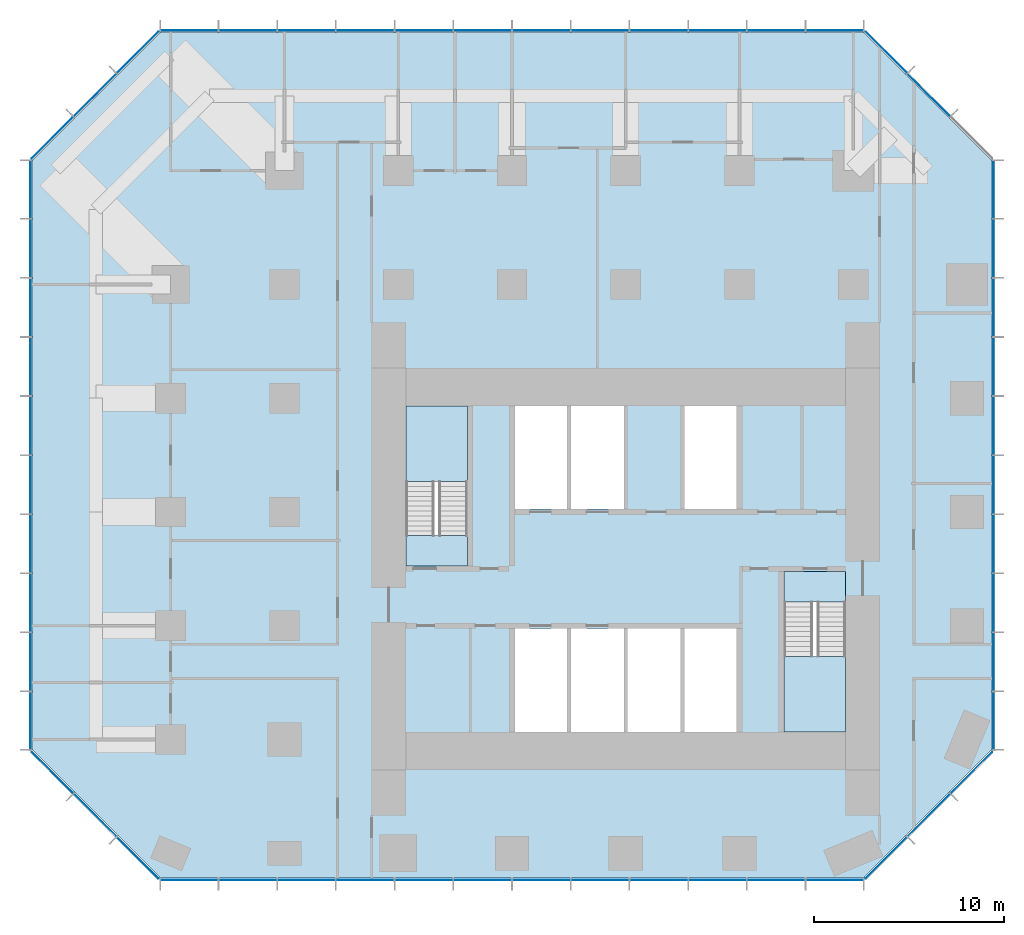
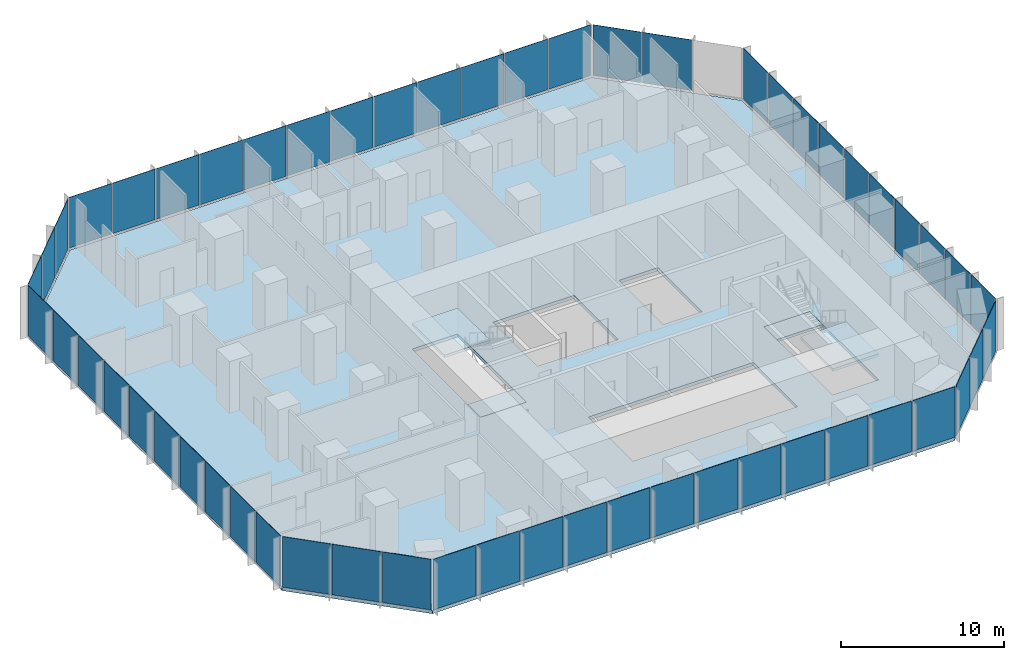
# One storey, part 7 of 12: 55 plates, 5 slabs, 10 elements without a shape of their own.
"""IFC4 building model written with IfcOpenShell, lengths in metres."""

from ifc_helpers import new_model, si_unit, direction, frame, origin, origin_2d, place, context, subcontext, project, spatial, polyline, rectangle, outline, extrude, material, layer, layer_set, type_object, element, aggregate, save


model = new_model("IFC4")

# Units and contexts
model_context = context("Model", 3, precision=1e-05, world=origin(), true_north=direction((0.0, 1.0)))
body_context = subcontext(model_context, "Body", "Model", "MODEL_VIEW")
ifc_project = project(units=[si_unit("LENGTHUNIT", "METRE"), si_unit("AREAUNIT", "SQUARE_METRE"), si_unit("VOLUMEUNIT", "CUBIC_METRE"), si_unit("PLANEANGLEUNIT", "RADIAN"), si_unit("MASSUNIT", "GRAM", prefix="KILO")], contexts=[model_context])

# Site, building, storey
site_placement = place(None, origin())
site = spatial("IfcSite", under=ifc_project, at=site_placement, CompositionType="ELEMENT")
building_placement = place(site_placement, origin())
building = spatial("IfcBuilding", under=site, at=building_placement, Name="Highveld Stack Headquarters", CompositionType="ELEMENT")
storey_placement = place(building_placement, frame((0.0, 0.0, 101.60009765625)))
storey = spatial("IfcBuildingStorey", under=building, at=storey_placement, Name="L24", CompositionType="ELEMENT", Elevation=101.60009765625)

# Curtain wall, plates
ifc_material_1 = material(Name="Aluminium bronze anodised", Category="aluminium")
ifc_layer_1 = layer(ifc_material_1, 0.199951171875)
ifc_layer_set_1 = layer_set([ifc_layer_1], Name="Aluminium bronze anodised")
curtain_wall_type_1 = type_object("IfcCurtainWallType", Name="CW1 TOWER UNITISED CURTAIN WALL", PredefinedType="NOTDEFINED", material=ifc_layer_set_1)
curtain_wall_1_placement = place(storey_placement, origin())
curtain_wall_1 = element("IfcCurtainWall", 1, at=curtain_wall_1_placement, inside=storey, type_object=curtain_wall_type_1, Name="Curtain wall CW1 L24 S", PredefinedType="NOTDEFINED")
ifc_material_2 = material(Name="Glass bronze tinted double glazed unit", Category="glass")
ifc_layer_2 = layer(ifc_material_2, 0.028076171875)
ifc_layer_set_2 = layer_set([ifc_layer_2], Name="Glass bronze tinted double glazed unit")
plate_type_1 = type_object("IfcPlateType", Name="CW1 PANEL BRONZE TINTED DOUBLE GLAZED UNIT", PredefinedType="CURTAIN_PANEL", material=ifc_layer_set_2)
plate_1_placement = place(storey_placement, frame((-17.015380859375, -13.39990234375, 0.10009765625), z_axis=(0.0, 0.0, 1.0), x_axis=(1.0, 0.0, 0.0)))
plate_1 = element("IfcPlate", 2, at=plate_1_placement, type_object=plate_type_1, Name="CW1 panel L24 1.1", PredefinedType="CURTAIN_PANEL", context=body_context, shape_type="SweptSolid", body=[
    extrude(rectangle(XDim=2.9990234375, YDim=0.028076171875, at=origin_2d()), origin(), (0.0, 0.0, 1.0), 3.800048828125),
])
plate_2_placement = place(storey_placement, frame((-13.934814453125, -13.39990234375, 0.10009765625), z_axis=(0.0, 0.0, 1.0), x_axis=(1.0, 0.0, 0.0)))
plate_2 = element("IfcPlate", 3, at=plate_2_placement, type_object=plate_type_1, Name="CW1 panel L24 2.1", PredefinedType="CURTAIN_PANEL", context=body_context, shape_type="SweptSolid", body=[
    extrude(rectangle(XDim=3.031494140625, YDim=0.028076171875, at=origin_2d()), origin(), (0.0, 0.0, 1.0), 3.800048828125),
])
plate_3_placement = place(storey_placement, frame((-10.83837890625, -13.39990234375, 0.10009765625), z_axis=(0.0, 0.0, 1.0), x_axis=(1.0, 0.0, 0.0)))
plate_3 = element("IfcPlate", 4, at=plate_3_placement, type_object=plate_type_1, Name="CW1 panel L24 3.1", PredefinedType="CURTAIN_PANEL", context=body_context, shape_type="SweptSolid", body=[
    extrude(rectangle(XDim=3.031494140625, YDim=0.028076171875, at=origin_2d()), origin(), (0.0, 0.0, 1.0), 3.800048828125),
])
plate_4_placement = place(storey_placement, frame((-7.74169921875, -13.39990234375, 0.10009765625), z_axis=(0.0, 0.0, 1.0), x_axis=(1.0, 0.0, 0.0)))
plate_4 = element("IfcPlate", 5, at=plate_4_placement, type_object=plate_type_1, Name="CW1 panel L24 4.1", PredefinedType="CURTAIN_PANEL", context=body_context, shape_type="SweptSolid", body=[
    extrude(rectangle(XDim=3.031494140625, YDim=0.028076171875, at=origin_2d()), origin(), (0.0, 0.0, 1.0), 3.800048828125),
])
plate_5_placement = place(storey_placement, frame((-4.64501953125, -13.39990234375, 0.10009765625), z_axis=(0.0, 0.0, 1.0), x_axis=(1.0, 0.0, 0.0)))
plate_5 = element("IfcPlate", 6, at=plate_5_placement, type_object=plate_type_1, Name="CW1 panel L24 5.1", PredefinedType="CURTAIN_PANEL", context=body_context, shape_type="SweptSolid", body=[
    extrude(rectangle(XDim=3.031494140625, YDim=0.028076171875, at=origin_2d()), origin(), (0.0, 0.0, 1.0), 3.800048828125),
])
plate_6_placement = place(storey_placement, frame((-1.54833984375, -13.39990234375, 0.10009765625), z_axis=(0.0, 0.0, 1.0), x_axis=(1.0, 0.0, 0.0)))
plate_6 = element("IfcPlate", 7, at=plate_6_placement, type_object=plate_type_1, Name="CW1 panel L24 6.1", PredefinedType="CURTAIN_PANEL", context=body_context, shape_type="SweptSolid", body=[
    extrude(rectangle(XDim=3.031494140625, YDim=0.028076171875, at=origin_2d()), origin(), (0.0, 0.0, 1.0), 3.800048828125),
])
plate_7_placement = place(storey_placement, frame((1.54833984375, -13.39990234375, 0.10009765625), z_axis=(0.0, 0.0, 1.0), x_axis=(1.0, 0.0, 0.0)))
plate_7 = element("IfcPlate", 8, at=plate_7_placement, type_object=plate_type_1, Name="CW1 panel L24 7.1", PredefinedType="CURTAIN_PANEL", context=body_context, shape_type="SweptSolid", body=[
    extrude(rectangle(XDim=3.03173828125, YDim=0.028076171875, at=origin_2d()), origin(), (0.0, 0.0, 1.0), 3.800048828125),
])
plate_8_placement = place(storey_placement, frame((4.64501953125, -13.39990234375, 0.10009765625), z_axis=(0.0, 0.0, 1.0), x_axis=(1.0, 0.0, 0.0)))
plate_8 = element("IfcPlate", 9, at=plate_8_placement, type_object=plate_type_1, Name="CW1 panel L24 8.1", PredefinedType="CURTAIN_PANEL", context=body_context, shape_type="SweptSolid", body=[
    extrude(rectangle(XDim=3.03173828125, YDim=0.028076171875, at=origin_2d()), origin(), (0.0, 0.0, 1.0), 3.800048828125),
])
plate_9_placement = place(storey_placement, frame((7.74169921875, -13.39990234375, 0.10009765625), z_axis=(0.0, 0.0, 1.0), x_axis=(1.0, 0.0, 0.0)))
plate_9 = element("IfcPlate", 10, at=plate_9_placement, type_object=plate_type_1, Name="CW1 panel L24 9.1", PredefinedType="CURTAIN_PANEL", context=body_context, shape_type="SweptSolid", body=[
    extrude(rectangle(XDim=3.03173828125, YDim=0.028076171875, at=origin_2d()), origin(), (0.0, 0.0, 1.0), 3.800048828125),
])
plate_10_placement = place(storey_placement, frame((10.83837890625, -13.39990234375, 0.10009765625), z_axis=(0.0, 0.0, 1.0), x_axis=(1.0, 0.0, 0.0)))
plate_10 = element("IfcPlate", 11, at=plate_10_placement, type_object=plate_type_1, Name="CW1 panel L24 10.1", PredefinedType="CURTAIN_PANEL", context=body_context, shape_type="SweptSolid", body=[
    extrude(rectangle(XDim=3.03173828125, YDim=0.028076171875, at=origin_2d()), origin(), (0.0, 0.0, 1.0), 3.800048828125),
])
plate_11_placement = place(storey_placement, frame((13.934814453125, -13.39990234375, 0.10009765625), z_axis=(0.0, 0.0, 1.0), x_axis=(1.0, 0.0, 0.0)))
plate_11 = element("IfcPlate", 12, at=plate_11_placement, type_object=plate_type_1, Name="CW1 panel L24 11.1", PredefinedType="CURTAIN_PANEL", context=body_context, shape_type="SweptSolid", body=[
    extrude(rectangle(XDim=3.03173828125, YDim=0.028076171875, at=origin_2d()), origin(), (0.0, 0.0, 1.0), 3.800048828125),
])
plate_12_placement = place(storey_placement, frame((17.015380859375, -13.39990234375, 0.10009765625), z_axis=(0.0, 0.0, 1.0), x_axis=(1.0, 0.0, 0.0)))
plate_12 = element("IfcPlate", 13, at=plate_12_placement, type_object=plate_type_1, Name="CW1 panel L24 12.1", PredefinedType="CURTAIN_PANEL", context=body_context, shape_type="SweptSolid", body=[
    extrude(rectangle(XDim=2.999267578125, YDim=0.028076171875, at=origin_2d()), origin(), (0.0, 0.0, 1.0), 3.800048828125),
])
aggregate(curtain_wall_1, [plate_1, plate_2, plate_3, plate_4, plate_5, plate_6, plate_7, plate_8, plate_9, plate_10, plate_11, plate_12])

curtain_wall_2_placement = place(storey_placement, origin())
curtain_wall_2 = element("IfcCurtainWall", 14, at=curtain_wall_2_placement, inside=storey, type_object=curtain_wall_type_1, Name="Curtain wall CW1 L24 E", PredefinedType="NOTDEFINED")
plate_13_placement = place(storey_placement, frame((25.39990234375, -5.005615234375, 0.10009765625), z_axis=(0.0, 0.0, 1.0), x_axis=(0.0, 1.0, 0.0)))
plate_13 = element("IfcPlate", 15, at=plate_13_placement, type_object=plate_type_1, Name="CW1 panel L24 1.1", PredefinedType="CURTAIN_PANEL", context=body_context, shape_type="SweptSolid", body=[
    extrude(rectangle(XDim=3.0185546875, YDim=0.028076171875, at=origin_2d()), origin(), (0.0, 0.0, 1.0), 3.800048828125),
])
plate_14_placement = place(storey_placement, frame((25.39990234375, -1.906005859375, 0.10009765625), z_axis=(0.0, 0.0, 1.0), x_axis=(0.0, 1.0, 0.0)))
plate_14 = element("IfcPlate", 16, at=plate_14_placement, type_object=plate_type_1, Name="CW1 panel L24 2.1", PredefinedType="CURTAIN_PANEL", context=body_context, shape_type="SweptSolid", body=[
    extrude(rectangle(XDim=3.051025390625, YDim=0.028076171875, at=origin_2d()), origin(), (0.0, 0.0, 1.0), 3.800048828125),
])
plate_15_placement = place(storey_placement, frame((25.39990234375, 1.2099609375, 0.10009765625), z_axis=(0.0, 0.0, 1.0), x_axis=(0.0, 1.0, 0.0)))
plate_15 = element("IfcPlate", 17, at=plate_15_placement, type_object=plate_type_1, Name="CW1 panel L24 3.1", PredefinedType="CURTAIN_PANEL", context=body_context, shape_type="SweptSolid", body=[
    extrude(rectangle(XDim=3.051025390625, YDim=0.028076171875, at=origin_2d()), origin(), (0.0, 0.0, 1.0), 3.800048828125),
])
plate_16_placement = place(storey_placement, frame((25.39990234375, 4.325927734375, 0.10009765625), z_axis=(0.0, 0.0, 1.0), x_axis=(0.0, 1.0, 0.0)))
plate_16 = element("IfcPlate", 18, at=plate_16_placement, type_object=plate_type_1, Name="CW1 panel L24 4.1", PredefinedType="CURTAIN_PANEL", context=body_context, shape_type="SweptSolid", body=[
    extrude(rectangle(XDim=3.051025390625, YDim=0.028076171875, at=origin_2d()), origin(), (0.0, 0.0, 1.0), 3.800048828125),
])
plate_17_placement = place(storey_placement, frame((25.39990234375, 7.44189453125, 0.10009765625), z_axis=(0.0, 0.0, 1.0), x_axis=(0.0, 1.0, 0.0)))
plate_17 = element("IfcPlate", 19, at=plate_17_placement, type_object=plate_type_1, Name="CW1 panel L24 5.1", PredefinedType="CURTAIN_PANEL", context=body_context, shape_type="SweptSolid", body=[
    extrude(rectangle(XDim=3.051025390625, YDim=0.028076171875, at=origin_2d()), origin(), (0.0, 0.0, 1.0), 3.800048828125),
])
plate_18_placement = place(storey_placement, frame((25.39990234375, 10.55810546875, 0.10009765625), z_axis=(0.0, 0.0, 1.0), x_axis=(0.0, 1.0, 0.0)))
plate_18 = element("IfcPlate", 20, at=plate_18_placement, type_object=plate_type_1, Name="CW1 panel L24 6.1", PredefinedType="CURTAIN_PANEL", context=body_context, shape_type="SweptSolid", body=[
    extrude(rectangle(XDim=3.051025390625, YDim=0.028076171875, at=origin_2d()), origin(), (0.0, 0.0, 1.0), 3.800048828125),
])
plate_19_placement = place(storey_placement, frame((25.39990234375, 13.674072265625, 0.10009765625), z_axis=(0.0, 0.0, 1.0), x_axis=(0.0, 1.0, 0.0)))
plate_19 = element("IfcPlate", 21, at=plate_19_placement, type_object=plate_type_1, Name="CW1 panel L24 7.1", PredefinedType="CURTAIN_PANEL", context=body_context, shape_type="SweptSolid", body=[
    extrude(rectangle(XDim=3.051025390625, YDim=0.028076171875, at=origin_2d()), origin(), (0.0, 0.0, 1.0), 3.800048828125),
])
plate_20_placement = place(storey_placement, frame((25.39990234375, 16.789794921875, 0.10009765625), z_axis=(0.0, 0.0, 1.0), x_axis=(0.0, 1.0, 0.0)))
plate_20 = element("IfcPlate", 22, at=plate_20_placement, type_object=plate_type_1, Name="CW1 panel L24 8.1", PredefinedType="CURTAIN_PANEL", context=body_context, shape_type="SweptSolid", body=[
    extrude(rectangle(XDim=3.051025390625, YDim=0.028076171875, at=origin_2d()), origin(), (0.0, 0.0, 1.0), 3.800048828125),
])
plate_21_placement = place(storey_placement, frame((25.39990234375, 19.906005859375, 0.10009765625), z_axis=(0.0, 0.0, 1.0), x_axis=(0.0, 1.0, 0.0)))
plate_21 = element("IfcPlate", 23, at=plate_21_placement, type_object=plate_type_1, Name="CW1 panel L24 9.1", PredefinedType="CURTAIN_PANEL", context=body_context, shape_type="SweptSolid", body=[
    extrude(rectangle(XDim=3.051025390625, YDim=0.028076171875, at=origin_2d()), origin(), (0.0, 0.0, 1.0), 3.800048828125),
])
plate_22_placement = place(storey_placement, frame((25.39990234375, 23.005615234375, 0.10009765625), z_axis=(0.0, 0.0, 1.0), x_axis=(0.0, 1.0, 0.0)))
plate_22 = element("IfcPlate", 24, at=plate_22_placement, type_object=plate_type_1, Name="CW1 panel L24 10.1", PredefinedType="CURTAIN_PANEL", context=body_context, shape_type="SweptSolid", body=[
    extrude(rectangle(XDim=3.0185546875, YDim=0.028076171875, at=origin_2d()), origin(), (0.0, 0.0, 1.0), 3.800048828125),
])
aggregate(curtain_wall_2, [plate_13, plate_14, plate_15, plate_16, plate_17, plate_18, plate_19, plate_20, plate_21, plate_22])

curtain_wall_3_placement = place(storey_placement, origin())
curtain_wall_3 = element("IfcCurtainWall", 25, at=curtain_wall_3_placement, inside=storey, type_object=curtain_wall_type_1, Name="Curtain wall CW1 L24 N", PredefinedType="NOTDEFINED")
plate_23_placement = place(storey_placement, frame((17.015380859375, 31.39990234375, 0.10009765625), z_axis=(0.0, 0.0, 1.0), x_axis=(-1.0, 0.0, 0.0)))
plate_23 = element("IfcPlate", 26, at=plate_23_placement, type_object=plate_type_1, Name="CW1 panel L24 1.1", PredefinedType="CURTAIN_PANEL", context=body_context, shape_type="SweptSolid", body=[
    extrude(rectangle(XDim=2.9990234375, YDim=0.028076171875, at=origin_2d()), origin(), (0.0, 0.0, 1.0), 3.800048828125),
])
plate_24_placement = place(storey_placement, frame((13.934814453125, 31.39990234375, 0.10009765625), z_axis=(0.0, 0.0, 1.0), x_axis=(-1.0, 0.0, 0.0)))
plate_24 = element("IfcPlate", 27, at=plate_24_placement, type_object=plate_type_1, Name="CW1 panel L24 2.1", PredefinedType="CURTAIN_PANEL", context=body_context, shape_type="SweptSolid", body=[
    extrude(rectangle(XDim=3.031494140625, YDim=0.028076171875, at=origin_2d()), origin(), (0.0, 0.0, 1.0), 3.800048828125),
])
plate_25_placement = place(storey_placement, frame((10.83837890625, 31.39990234375, 0.10009765625), z_axis=(0.0, 0.0, 1.0), x_axis=(-1.0, 0.0, 0.0)))
plate_25 = element("IfcPlate", 28, at=plate_25_placement, type_object=plate_type_1, Name="CW1 panel L24 3.1", PredefinedType="CURTAIN_PANEL", context=body_context, shape_type="SweptSolid", body=[
    extrude(rectangle(XDim=3.031494140625, YDim=0.028076171875, at=origin_2d()), origin(), (0.0, 0.0, 1.0), 3.800048828125),
])
plate_26_placement = place(storey_placement, frame((7.74169921875, 31.39990234375, 0.10009765625), z_axis=(0.0, 0.0, 1.0), x_axis=(-1.0, 0.0, 0.0)))
plate_26 = element("IfcPlate", 29, at=plate_26_placement, type_object=plate_type_1, Name="CW1 panel L24 4.1", PredefinedType="CURTAIN_PANEL", context=body_context, shape_type="SweptSolid", body=[
    extrude(rectangle(XDim=3.031494140625, YDim=0.028076171875, at=origin_2d()), origin(), (0.0, 0.0, 1.0), 3.800048828125),
])
plate_27_placement = place(storey_placement, frame((4.64501953125, 31.39990234375, 0.10009765625), z_axis=(0.0, 0.0, 1.0), x_axis=(-1.0, 0.0, 0.0)))
plate_27 = element("IfcPlate", 30, at=plate_27_placement, type_object=plate_type_1, Name="CW1 panel L24 5.1", PredefinedType="CURTAIN_PANEL", context=body_context, shape_type="SweptSolid", body=[
    extrude(rectangle(XDim=3.031494140625, YDim=0.028076171875, at=origin_2d()), origin(), (0.0, 0.0, 1.0), 3.800048828125),
])
plate_28_placement = place(storey_placement, frame((1.54833984375, 31.39990234375, 0.10009765625), z_axis=(0.0, 0.0, 1.0), x_axis=(-1.0, 0.0, 0.0)))
plate_28 = element("IfcPlate", 31, at=plate_28_placement, type_object=plate_type_1, Name="CW1 panel L24 6.1", PredefinedType="CURTAIN_PANEL", context=body_context, shape_type="SweptSolid", body=[
    extrude(rectangle(XDim=3.031494140625, YDim=0.028076171875, at=origin_2d()), origin(), (0.0, 0.0, 1.0), 3.800048828125),
])
plate_29_placement = place(storey_placement, frame((-1.54833984375, 31.39990234375, 0.10009765625), z_axis=(0.0, 0.0, 1.0), x_axis=(-1.0, 0.0, 0.0)))
plate_29 = element("IfcPlate", 32, at=plate_29_placement, type_object=plate_type_1, Name="CW1 panel L24 7.1", PredefinedType="CURTAIN_PANEL", context=body_context, shape_type="SweptSolid", body=[
    extrude(rectangle(XDim=3.03173828125, YDim=0.028076171875, at=origin_2d()), origin(), (0.0, 0.0, 1.0), 3.800048828125),
])
plate_30_placement = place(storey_placement, frame((-4.64501953125, 31.39990234375, 0.10009765625), z_axis=(0.0, 0.0, 1.0), x_axis=(-1.0, 0.0, 0.0)))
plate_30 = element("IfcPlate", 33, at=plate_30_placement, type_object=plate_type_1, Name="CW1 panel L24 8.1", PredefinedType="CURTAIN_PANEL", context=body_context, shape_type="SweptSolid", body=[
    extrude(rectangle(XDim=3.03173828125, YDim=0.028076171875, at=origin_2d()), origin(), (0.0, 0.0, 1.0), 3.800048828125),
])
plate_31_placement = place(storey_placement, frame((-7.74169921875, 31.39990234375, 0.10009765625), z_axis=(0.0, 0.0, 1.0), x_axis=(-1.0, 0.0, 0.0)))
plate_31 = element("IfcPlate", 34, at=plate_31_placement, type_object=plate_type_1, Name="CW1 panel L24 9.1", PredefinedType="CURTAIN_PANEL", context=body_context, shape_type="SweptSolid", body=[
    extrude(rectangle(XDim=3.03173828125, YDim=0.028076171875, at=origin_2d()), origin(), (0.0, 0.0, 1.0), 3.800048828125),
])
plate_32_placement = place(storey_placement, frame((-10.83837890625, 31.39990234375, 0.10009765625), z_axis=(0.0, 0.0, 1.0), x_axis=(-1.0, 0.0, 0.0)))
plate_32 = element("IfcPlate", 35, at=plate_32_placement, type_object=plate_type_1, Name="CW1 panel L24 10.1", PredefinedType="CURTAIN_PANEL", context=body_context, shape_type="SweptSolid", body=[
    extrude(rectangle(XDim=3.03173828125, YDim=0.028076171875, at=origin_2d()), origin(), (0.0, 0.0, 1.0), 3.800048828125),
])
plate_33_placement = place(storey_placement, frame((-13.934814453125, 31.39990234375, 0.10009765625), z_axis=(0.0, 0.0, 1.0), x_axis=(-1.0, 0.0, 0.0)))
plate_33 = element("IfcPlate", 36, at=plate_33_placement, type_object=plate_type_1, Name="CW1 panel L24 11.1", PredefinedType="CURTAIN_PANEL", context=body_context, shape_type="SweptSolid", body=[
    extrude(rectangle(XDim=3.03173828125, YDim=0.028076171875, at=origin_2d()), origin(), (0.0, 0.0, 1.0), 3.800048828125),
])
plate_34_placement = place(storey_placement, frame((-17.015380859375, 31.39990234375, 0.10009765625), z_axis=(0.0, 0.0, 1.0), x_axis=(-1.0, 0.0, 0.0)))
plate_34 = element("IfcPlate", 37, at=plate_34_placement, type_object=plate_type_1, Name="CW1 panel L24 12.1", PredefinedType="CURTAIN_PANEL", context=body_context, shape_type="SweptSolid", body=[
    extrude(rectangle(XDim=2.999267578125, YDim=0.028076171875, at=origin_2d()), origin(), (0.0, 0.0, 1.0), 3.800048828125),
])
aggregate(curtain_wall_3, [plate_23, plate_24, plate_25, plate_26, plate_27, plate_28, plate_29, plate_30, plate_31, plate_32, plate_33, plate_34])

curtain_wall_4_placement = place(storey_placement, origin())
curtain_wall_4 = element("IfcCurtainWall", 38, at=curtain_wall_4_placement, inside=storey, type_object=curtain_wall_type_1, Name="Curtain wall CW1 L24 W", PredefinedType="NOTDEFINED")
plate_35_placement = place(storey_placement, frame((-25.39990234375, 23.005615234375, 0.10009765625), z_axis=(0.0, 0.0, 1.0), x_axis=(0.0, -1.0, 0.0)))
plate_35 = element("IfcPlate", 39, at=plate_35_placement, type_object=plate_type_1, Name="CW1 panel L24 1.1", PredefinedType="CURTAIN_PANEL", context=body_context, shape_type="SweptSolid", body=[
    extrude(rectangle(XDim=3.0185546875, YDim=0.028076171875, at=origin_2d()), origin(), (0.0, 0.0, 1.0), 3.800048828125),
])
plate_36_placement = place(storey_placement, frame((-25.39990234375, 19.906005859375, 0.10009765625), z_axis=(0.0, 0.0, 1.0), x_axis=(0.0, -1.0, 0.0)))
plate_36 = element("IfcPlate", 40, at=plate_36_placement, type_object=plate_type_1, Name="CW1 panel L24 2.1", PredefinedType="CURTAIN_PANEL", context=body_context, shape_type="SweptSolid", body=[
    extrude(rectangle(XDim=3.051025390625, YDim=0.028076171875, at=origin_2d()), origin(), (0.0, 0.0, 1.0), 3.800048828125),
])
plate_37_placement = place(storey_placement, frame((-25.39990234375, 16.7900390625, 0.10009765625), z_axis=(0.0, 0.0, 1.0), x_axis=(0.0, -1.0, 0.0)))
plate_37 = element("IfcPlate", 41, at=plate_37_placement, type_object=plate_type_1, Name="CW1 panel L24 3.1", PredefinedType="CURTAIN_PANEL", context=body_context, shape_type="SweptSolid", body=[
    extrude(rectangle(XDim=3.051025390625, YDim=0.028076171875, at=origin_2d()), origin(), (0.0, 0.0, 1.0), 3.800048828125),
])
plate_38_placement = place(storey_placement, frame((-25.39990234375, 13.674072265625, 0.10009765625), z_axis=(0.0, 0.0, 1.0), x_axis=(0.0, -1.0, 0.0)))
plate_38 = element("IfcPlate", 42, at=plate_38_placement, type_object=plate_type_1, Name="CW1 panel L24 4.1", PredefinedType="CURTAIN_PANEL", context=body_context, shape_type="SweptSolid", body=[
    extrude(rectangle(XDim=3.051025390625, YDim=0.028076171875, at=origin_2d()), origin(), (0.0, 0.0, 1.0), 3.800048828125),
])
plate_39_placement = place(storey_placement, frame((-25.39990234375, 10.55810546875, 0.10009765625), z_axis=(0.0, 0.0, 1.0), x_axis=(0.0, -1.0, 0.0)))
plate_39 = element("IfcPlate", 43, at=plate_39_placement, type_object=plate_type_1, Name="CW1 panel L24 5.1", PredefinedType="CURTAIN_PANEL", context=body_context, shape_type="SweptSolid", body=[
    extrude(rectangle(XDim=3.051025390625, YDim=0.028076171875, at=origin_2d()), origin(), (0.0, 0.0, 1.0), 3.800048828125),
])
plate_40_placement = place(storey_placement, frame((-25.39990234375, 7.44189453125, 0.10009765625), z_axis=(0.0, 0.0, 1.0), x_axis=(0.0, -1.0, 0.0)))
plate_40 = element("IfcPlate", 44, at=plate_40_placement, type_object=plate_type_1, Name="CW1 panel L24 6.1", PredefinedType="CURTAIN_PANEL", context=body_context, shape_type="SweptSolid", body=[
    extrude(rectangle(XDim=3.051025390625, YDim=0.028076171875, at=origin_2d()), origin(), (0.0, 0.0, 1.0), 3.800048828125),
])
plate_41_placement = place(storey_placement, frame((-25.39990234375, 4.325927734375, 0.10009765625), z_axis=(0.0, 0.0, 1.0), x_axis=(0.0, -1.0, 0.0)))
plate_41 = element("IfcPlate", 45, at=plate_41_placement, type_object=plate_type_1, Name="CW1 panel L24 7.1", PredefinedType="CURTAIN_PANEL", context=body_context, shape_type="SweptSolid", body=[
    extrude(rectangle(XDim=3.051025390625, YDim=0.028076171875, at=origin_2d()), origin(), (0.0, 0.0, 1.0), 3.800048828125),
])
plate_42_placement = place(storey_placement, frame((-25.39990234375, 1.210205078125, 0.10009765625), z_axis=(0.0, 0.0, 1.0), x_axis=(0.0, -1.0, 0.0)))
plate_42 = element("IfcPlate", 46, at=plate_42_placement, type_object=plate_type_1, Name="CW1 panel L24 8.1", PredefinedType="CURTAIN_PANEL", context=body_context, shape_type="SweptSolid", body=[
    extrude(rectangle(XDim=3.051025390625, YDim=0.028076171875, at=origin_2d()), origin(), (0.0, 0.0, 1.0), 3.800048828125),
])
plate_43_placement = place(storey_placement, frame((-25.39990234375, -1.906005859375, 0.10009765625), z_axis=(0.0, 0.0, 1.0), x_axis=(0.0, -1.0, 0.0)))
plate_43 = element("IfcPlate", 47, at=plate_43_placement, type_object=plate_type_1, Name="CW1 panel L24 9.1", PredefinedType="CURTAIN_PANEL", context=body_context, shape_type="SweptSolid", body=[
    extrude(rectangle(XDim=3.051025390625, YDim=0.028076171875, at=origin_2d()), origin(), (0.0, 0.0, 1.0), 3.800048828125),
])
plate_44_placement = place(storey_placement, frame((-25.39990234375, -5.005615234375, 0.10009765625), z_axis=(0.0, 0.0, 1.0), x_axis=(0.0, -1.0, 0.0)))
plate_44 = element("IfcPlate", 48, at=plate_44_placement, type_object=plate_type_1, Name="CW1 panel L24 10.1", PredefinedType="CURTAIN_PANEL", context=body_context, shape_type="SweptSolid", body=[
    extrude(rectangle(XDim=3.0185546875, YDim=0.028076171875, at=origin_2d()), origin(), (0.0, 0.0, 1.0), 3.800048828125),
])
aggregate(curtain_wall_4, [plate_35, plate_36, plate_37, plate_38, plate_39, plate_40, plate_41, plate_42, plate_43, plate_44])

ifc_material_3 = material(Name="Aluminium bronze anodised", Category="aluminium")
ifc_layer_3 = layer(ifc_material_3, 0.199951171875)
ifc_layer_set_3 = layer_set([ifc_layer_3], Name="Aluminium bronze anodised")
curtain_wall_type_2 = type_object("IfcCurtainWallType", Name="CW2 TOWER CHAMFER UNITISED CURTAIN WALL", PredefinedType="NOTDEFINED", material=ifc_layer_set_3)
curtain_wall_5_placement = place(storey_placement, origin())
curtain_wall_5 = element("IfcCurtainWall", 49, at=curtain_wall_5_placement, inside=storey, type_object=curtain_wall_type_2, Name="Curtain wall CW2 L24 SE", PredefinedType="NOTDEFINED")
ifc_material_4 = material(Name="Glass bronze tinted double glazed unit", Category="glass")
ifc_layer_4 = layer(ifc_material_4, 0.028076171875)
ifc_layer_set_4 = layer_set([ifc_layer_4], Name="Glass bronze tinted double glazed unit")
plate_type_2 = type_object("IfcPlateType", Name="CW2 PANEL BRONZE TINTED DOUBLE GLAZED UNIT", PredefinedType="CURTAIN_PANEL", material=ifc_layer_set_4)
plate_45_placement = place(storey_placement, frame((19.740478515625, -12.239501953125, 0.10009765625), z_axis=(0.0, 0.0, 1.0), x_axis=(0.707106781187, 0.707106781187, 0.0)))
plate_45 = element("IfcPlate", 50, at=plate_45_placement, type_object=plate_type_2, Name="CW2 panel L24 1.1", PredefinedType="CURTAIN_PANEL", context=body_context, shape_type="SweptSolid", body=[
    extrude(rectangle(XDim=3.08251953125, YDim=0.028076171875, at=origin_2d()), origin(), (0.0, 0.0, 1.0), 3.800048828125),
])
plate_46_placement = place(storey_placement, frame((21.989990234375, -9.989990234375, 0.10009765625), z_axis=(0.0, 0.0, 1.0), x_axis=(0.707106781187, 0.707106781187, 0.0)))
plate_46 = element("IfcPlate", 51, at=plate_46_placement, type_object=plate_type_2, Name="CW2 panel L24 2.1", PredefinedType="CURTAIN_PANEL", context=body_context, shape_type="SweptSolid", body=[
    extrude(rectangle(XDim=3.14990234375, YDim=0.028076171875, at=origin_2d()), origin(), (0.0, 0.0, 1.0), 3.800048828125),
])
plate_47_placement = place(storey_placement, frame((24.239501953125, -7.740478515625, 0.10009765625), z_axis=(0.0, 0.0, 1.0), x_axis=(0.707106781187, 0.707106781187, 0.0)))
plate_47 = element("IfcPlate", 52, at=plate_47_placement, type_object=plate_type_2, Name="CW2 panel L24 3.1", PredefinedType="CURTAIN_PANEL", context=body_context, shape_type="SweptSolid", body=[
    extrude(rectangle(XDim=3.08251953125, YDim=0.028076171875, at=origin_2d()), origin(), (0.0, 0.0, 1.0), 3.800048828125),
])
aggregate(curtain_wall_5, [plate_45, plate_46, plate_47])

curtain_wall_6_placement = place(storey_placement, origin())
curtain_wall_6 = element("IfcCurtainWall", 53, at=curtain_wall_6_placement, inside=storey, type_object=curtain_wall_type_2, Name="Curtain wall CW2 L24 NE", PredefinedType="NOTDEFINED")
plate_48_placement = place(storey_placement, frame((21.989990234375, 27.989990234375, 0.10009765625), z_axis=(0.0, 0.0, 1.0), x_axis=(-0.707106781187, 0.707106781187, 0.0)))
plate_48 = element("IfcPlate", 54, at=plate_48_placement, type_object=plate_type_2, Name="CW2 panel L24 2.1", PredefinedType="CURTAIN_PANEL", context=body_context, shape_type="SweptSolid", body=[
    extrude(rectangle(XDim=3.14990234375, YDim=0.028076171875, at=origin_2d()), origin(), (0.0, 0.0, 1.0), 3.800048828125),
])
plate_49_placement = place(storey_placement, frame((19.740478515625, 30.239501953125, 0.10009765625), z_axis=(0.0, 0.0, 1.0), x_axis=(-0.707106781187, 0.707106781187, 0.0)))
plate_49 = element("IfcPlate", 55, at=plate_49_placement, type_object=plate_type_2, Name="CW2 panel L24 3.1", PredefinedType="CURTAIN_PANEL", context=body_context, shape_type="SweptSolid", body=[
    extrude(rectangle(XDim=3.08251953125, YDim=0.028076171875, at=origin_2d()), origin(), (0.0, 0.0, 1.0), 3.800048828125),
])
aggregate(curtain_wall_6, [plate_48, plate_49])

curtain_wall_7_placement = place(storey_placement, origin())
curtain_wall_7 = element("IfcCurtainWall", 56, at=curtain_wall_7_placement, inside=storey, type_object=curtain_wall_type_2, Name="Curtain wall CW2 L24 NW", PredefinedType="NOTDEFINED")
plate_50_placement = place(storey_placement, frame((-19.740478515625, 30.239501953125, 0.10009765625), z_axis=(0.0, 0.0, 1.0), x_axis=(-0.707106781187, -0.707106781187, 0.0)))
plate_50 = element("IfcPlate", 57, at=plate_50_placement, type_object=plate_type_2, Name="CW2 panel L24 1.1", PredefinedType="CURTAIN_PANEL", context=body_context, shape_type="SweptSolid", body=[
    extrude(rectangle(XDim=3.08251953125, YDim=0.028076171875, at=origin_2d()), origin(), (0.0, 0.0, 1.0), 3.800048828125),
])
plate_51_placement = place(storey_placement, frame((-21.989990234375, 27.989990234375, 0.10009765625), z_axis=(0.0, 0.0, 1.0), x_axis=(-0.707106781187, -0.707106781187, 0.0)))
plate_51 = element("IfcPlate", 58, at=plate_51_placement, type_object=plate_type_2, Name="CW2 panel L24 2.1", PredefinedType="CURTAIN_PANEL", context=body_context, shape_type="SweptSolid", body=[
    extrude(rectangle(XDim=3.14990234375, YDim=0.028076171875, at=origin_2d()), origin(), (0.0, 0.0, 1.0), 3.800048828125),
])
plate_52_placement = place(storey_placement, frame((-24.239501953125, 25.740478515625, 0.10009765625), z_axis=(0.0, 0.0, 1.0), x_axis=(-0.707106781187, -0.707106781187, 0.0)))
plate_52 = element("IfcPlate", 59, at=plate_52_placement, type_object=plate_type_2, Name="CW2 panel L24 3.1", PredefinedType="CURTAIN_PANEL", context=body_context, shape_type="SweptSolid", body=[
    extrude(rectangle(XDim=3.08251953125, YDim=0.028076171875, at=origin_2d()), origin(), (0.0, 0.0, 1.0), 3.800048828125),
])
aggregate(curtain_wall_7, [plate_50, plate_51, plate_52])

curtain_wall_8_placement = place(storey_placement, origin())
curtain_wall_8 = element("IfcCurtainWall", 60, at=curtain_wall_8_placement, inside=storey, type_object=curtain_wall_type_2, Name="Curtain wall CW2 L24 SW", PredefinedType="NOTDEFINED")
plate_53_placement = place(storey_placement, frame((-24.239501953125, -7.740478515625, 0.10009765625), z_axis=(0.0, 0.0, 1.0), x_axis=(0.707106781187, -0.707106781187, 0.0)))
plate_53 = element("IfcPlate", 61, at=plate_53_placement, type_object=plate_type_2, Name="CW2 panel L24 1.1", PredefinedType="CURTAIN_PANEL", context=body_context, shape_type="SweptSolid", body=[
    extrude(rectangle(XDim=3.08251953125, YDim=0.028076171875, at=origin_2d()), origin(), (0.0, 0.0, 1.0), 3.800048828125),
])
plate_54_placement = place(storey_placement, frame((-21.989990234375, -9.989990234375, 0.10009765625), z_axis=(0.0, 0.0, 1.0), x_axis=(0.707106781187, -0.707106781187, 0.0)))
plate_54 = element("IfcPlate", 62, at=plate_54_placement, type_object=plate_type_2, Name="CW2 panel L24 2.1", PredefinedType="CURTAIN_PANEL", context=body_context, shape_type="SweptSolid", body=[
    extrude(rectangle(XDim=3.14990234375, YDim=0.028076171875, at=origin_2d()), origin(), (0.0, 0.0, 1.0), 3.800048828125),
])
plate_55_placement = place(storey_placement, frame((-19.740478515625, -12.239501953125, 0.10009765625), z_axis=(0.0, 0.0, 1.0), x_axis=(0.707106781187, -0.707106781187, 0.0)))
plate_55 = element("IfcPlate", 63, at=plate_55_placement, type_object=plate_type_2, Name="CW2 panel L24 3.1", PredefinedType="CURTAIN_PANEL", context=body_context, shape_type="SweptSolid", body=[
    extrude(rectangle(XDim=3.08251953125, YDim=0.028076171875, at=origin_2d()), origin(), (0.0, 0.0, 1.0), 3.800048828125),
])
aggregate(curtain_wall_8, [plate_53, plate_54, plate_55])

# Slab
ifc_material_5 = material(Name="Concrete C60/75", Category="concrete")
ifc_layer_5 = layer(ifc_material_5, 0.25)
ifc_layer_set_5 = layer_set([ifc_layer_5], Name="Concrete C60/75")
slab_type_1 = type_object("IfcSlabType", Name="PT FLAT SLAB 250", PredefinedType="FLOOR", material=ifc_layer_set_5)
slab_1_placement = place(storey_placement, frame((0.0, 0.0, -0.25)))
element("IfcSlab", 64, at=slab_1_placement, inside=storey, type_object=slab_type_1, Name="Floor slab L24", PredefinedType="FLOOR", context=body_context, shape_type="SweptSolid", body=[
    extrude(outline(polyline([(-18.53857421875, -13.300048828125), (18.53857421875, -13.300048828125), (25.300048828125, -6.53857421875), (25.300048828125, 24.53857421875), (18.53857421875, 31.300048828125), (-18.53857421875, 31.300048828125), (-25.300048828125, 24.53857421875), (-25.300048828125, -6.53857421875), (-18.53857421875, -13.300048828125)]), holes=[polyline([(0.14990234375, 6.14990234375), (5.89990234375, 6.14990234375), (5.89990234375, 11.60009765625), (0.14990234375, 11.60009765625), (0.14990234375, 6.14990234375)]), polyline([(9.10009765625, 6.14990234375), (11.85009765625, 6.14990234375), (11.85009765625, 11.60009765625), (9.10009765625, 11.60009765625), (9.10009765625, 6.14990234375)]), polyline([(0.14990234375, -5.60009765625), (11.85009765625, -5.60009765625), (11.85009765625, -0.14990234375), (0.14990234375, -0.14990234375), (0.14990234375, -5.60009765625)]), polyline([(-5.60009765625, 3.14990234375), (-2.35009765625, 3.14990234375), (-2.35009765625, 11.60009765625), (-5.60009765625, 11.60009765625), (-5.60009765625, 3.14990234375)]), polyline([(14.35009765625, -5.60009765625), (17.60009765625, -5.60009765625), (17.60009765625, 2.85009765625), (14.35009765625, 2.85009765625), (14.35009765625, -5.60009765625)])]), origin(), (0.0, 0.0, 1.0), 0.25),
])

# Stair, slabs
ifc_material_6 = material(Name="Concrete C40/50, precast", Category="concrete")
stair_type_1 = type_object("IfcStairType", Name="STAIR S1 HALF TURN 1500", PredefinedType="HALF_TURN_STAIR", material=ifc_material_6)
stair_1_placement = place(storey_placement, origin())
stair_1 = element("IfcStair", 65, at=stair_1_placement, inside=storey, type_object=stair_type_1, Name="Stair S1 L24", PredefinedType="HALF_TURN_STAIR")
ifc_material_7 = material(Name="Concrete C40/50, precast", Category="concrete")
ifc_layer_6 = layer(ifc_material_7, 0.199951171875)
ifc_layer_set_6 = layer_set([ifc_layer_6], Name="Concrete C40/50, precast")
slab_type_2 = type_object("IfcSlabType", Name="STAIR LANDING 200", PredefinedType="LANDING", material=ifc_layer_set_6)
slab_2_placement = place(storey_placement, frame((0.0, 0.0, 1.75)))
slab_2 = element("IfcSlab", 66, at=slab_2_placement, type_object=slab_type_2, Name="S1 landing 1", PredefinedType="LANDING", context=body_context, shape_type="SweptSolid", body=[
    extrude(outline(polyline([(-5.60009765625, 7.610107421875), (-2.35009765625, 7.610107421875), (-2.35009765625, 11.60009765625), (-5.60009765625, 11.60009765625), (-5.60009765625, 7.610107421875)])), origin(), (0.0, 0.0, 1.0), 0.199951171875),
])
slab_3_placement = place(storey_placement, frame((0.0, 0.0, -0.2001953125)))
slab_3 = element("IfcSlab", 67, at=slab_3_placement, type_object=slab_type_2, Name="S1 landing 2", PredefinedType="LANDING", context=body_context, shape_type="SweptSolid", body=[
    extrude(outline(polyline([(-5.60009765625, 3.14990234375), (-2.35009765625, 3.14990234375), (-2.35009765625, 4.75), (-5.60009765625, 4.75), (-5.60009765625, 3.14990234375)])), origin(), (0.0, 0.0, 1.0), 0.2001953125),
])
aggregate(stair_1, [slab_2, slab_3])

ifc_material_8 = material(Name="Concrete C40/50, precast", Category="concrete")
stair_type_2 = type_object("IfcStairType", Name="STAIR S2 HALF TURN 1500", PredefinedType="HALF_TURN_STAIR", material=ifc_material_8)
stair_2_placement = place(storey_placement, origin())
stair_2 = element("IfcStair", 68, at=stair_2_placement, inside=storey, type_object=stair_type_2, Name="Stair S2 L24", PredefinedType="HALF_TURN_STAIR")
slab_4_placement = place(storey_placement, frame((0.0, 0.0, 1.75)))
slab_4 = element("IfcSlab", 69, at=slab_4_placement, type_object=slab_type_2, Name="S2 landing 1", PredefinedType="LANDING", context=body_context, shape_type="SweptSolid", body=[
    extrude(outline(polyline([(14.35009765625, -5.60009765625), (17.60009765625, -5.60009765625), (17.60009765625, -1.610107421875), (14.35009765625, -1.610107421875), (14.35009765625, -5.60009765625)])), origin(), (0.0, 0.0, 1.0), 0.199951171875),
])
slab_5_placement = place(storey_placement, frame((0.0, 0.0, -0.2001953125)))
slab_5 = element("IfcSlab", 70, at=slab_5_placement, type_object=slab_type_2, Name="S2 landing 2", PredefinedType="LANDING", context=body_context, shape_type="SweptSolid", body=[
    extrude(outline(polyline([(14.35009765625, 1.25), (17.60009765625, 1.25), (17.60009765625, 2.85009765625), (14.35009765625, 2.85009765625), (14.35009765625, 1.25)])), origin(), (0.0, 0.0, 1.0), 0.2001953125),
])
aggregate(stair_2, [slab_4, slab_5])

save(model, "model.ifc")
